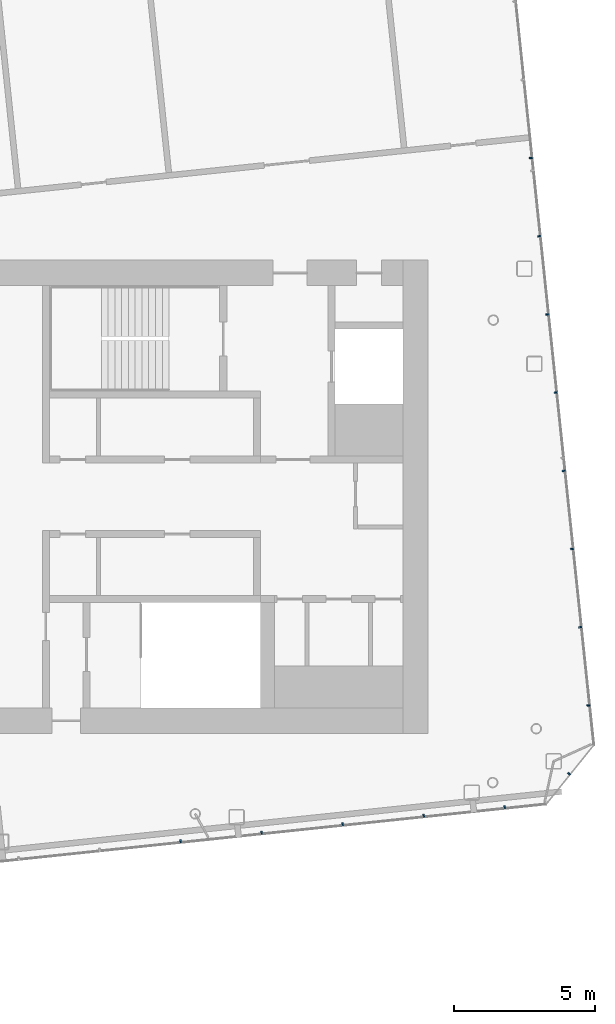
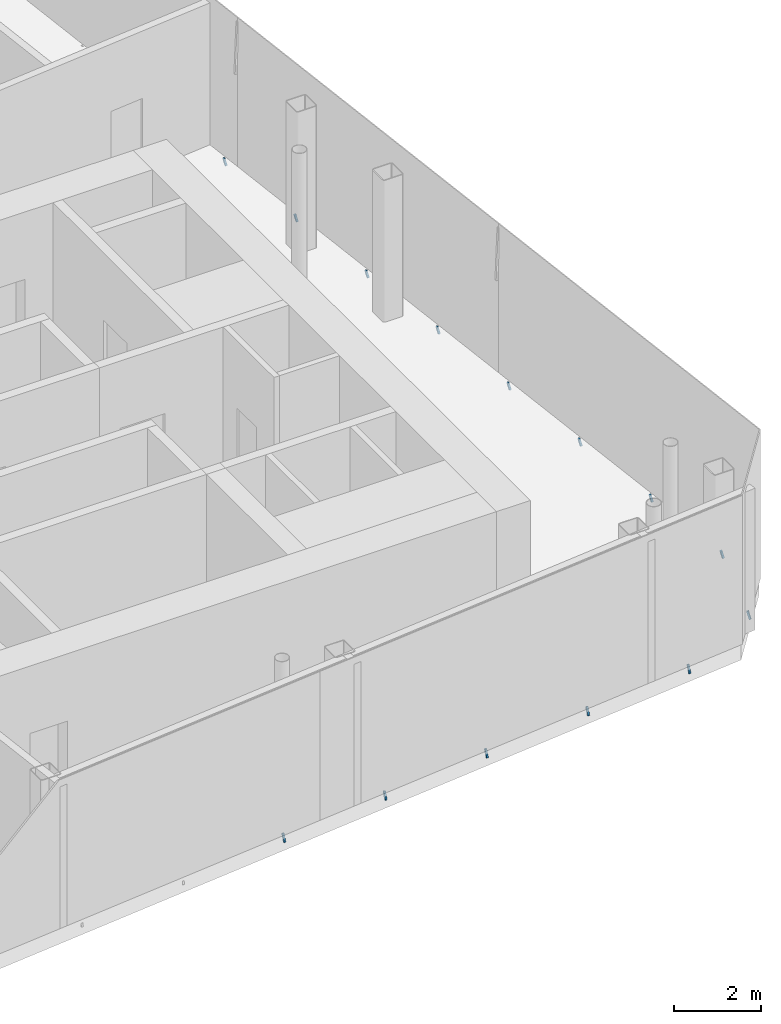
# One storey, part 24 of 28: 14 discrete accessories.
"""IFC4 building model written with IfcOpenShell, lengths in metres."""

from ifc_helpers import new_model, si_unit, direction, frame, origin, origin_2d, place, context, subcontext, project, spatial, rectangle, extrude, material, material_profile, profile_set, type_object, element, save


model = new_model("IFC4")

# Units and contexts
model_context = context("Model", 3, precision=1e-05, world=origin(), true_north=direction((0.0, 1.0)))
body_context = subcontext(model_context, "Body", "Model", "MODEL_VIEW")
ifc_project = project(units=[si_unit("LENGTHUNIT", "METRE"), si_unit("AREAUNIT", "SQUARE_METRE"), si_unit("VOLUMEUNIT", "CUBIC_METRE"), si_unit("PLANEANGLEUNIT", "RADIAN"), si_unit("MASSUNIT", "GRAM", prefix="KILO")], contexts=[model_context])

# Site, building, storey
site_placement = place(None, origin())
site = spatial("IfcSite", under=ifc_project, at=site_placement, CompositionType="ELEMENT")
building_placement = place(site_placement, origin())
building = spatial("IfcBuilding", under=site, at=building_placement, Name="Hakoniwa Tower and Hamabe Station Hall", CompositionType="ELEMENT")
storey_placement = place(building_placement, frame((0.0, 0.0, 280.800048828125)))
storey = spatial("IfcBuildingStorey", under=building, at=storey_placement, Name="L78", CompositionType="ELEMENT", Elevation=280.800048828125)

# Discrete accessories
ifc_material = material(Name="Stainless steel SUS304", Category="steel")
ifc_material_profile = material_profile(ifc_material, rectangle(XDim=0.050048828125, YDim=0.050048828125, at=origin_2d()), Name="CW-4 GLAZING BRACKET 50X50")
ifc_profile_set = profile_set([ifc_material_profile], Name="Stainless steel SUS304")
discrete_accessory_type = type_object("IfcDiscreteAccessoryType", Name="CW-4 GLAZING BRACKET 50X50", PredefinedType="BRACKET", material=ifc_profile_set)
for number, where, z_axis, x_axis, name in (
    (1, (37.21826171875, 12.025390625, 0.0), (0.255747074986, 0.026203593749, -0.966388537448), (-0.101925414299, 0.994792043555, 0.0), "Glazing bracket"),
    (2, (37.510009765625, 9.249267578125, 0.0), (0.255747074986, 0.026203593749, -0.966388537448), (-0.101925414299, 0.994792043555, 0.0), "Glazing bracket"),
    (3, (37.8017578125, 6.47314453125, 0.0), (0.256726269009, 0.026196558062, -0.96612906133), (-0.101513688013, 0.994834142531, 0.0), "Glazing bracket"),
    (4, (38.093505859375, 3.697021484375, 0.0), (0.256726269009, 0.026196558062, -0.96612906133), (-0.101513688013, 0.994834142531, 0.0), "Glazing bracket"),
    (5, (38.38525390625, 0.9208984375, 0.0), (0.256719081131, 0.027243657589, -0.966102011438), (-0.10552987533, 0.994416132921, 0.0), "Glazing bracket"),
    (6, (38.67724609375, -1.855224609375, 0.0), (0.255739910677, 0.027250974089, -0.966361465756), (-0.105957528947, 0.994370656274, 0.0), "Glazing bracket"),
    (7, (38.968994140625, -4.63134765625, 0.0), (0.255739910677, 0.027250974089, -0.966361465756), (-0.105957528947, 0.994370656274, 0.0), "Glazing bracket"),
    (8, (39.2607421875, -7.407470703125, 0.0), (0.255739910677, 0.027250974089, -0.966361465756), (-0.105957528947, 0.994370656274, 0.0), "Glazing bracket"),
    (9, (38.580078125, -9.816162109375, 0.0), (0.200191497512, -0.161410945638, -0.966369427782), (0.627672782255, 0.778477281888, 0.0), "Glazing bracket"),
    (10, (24.81005859375, -12.197021484375, 0.0), (0.026196558062, -0.256726269009, -0.96612906133), (0.994834142531, 0.101513688013, 0.0), "Glazing bracket"),
    (11, (27.686279296875, -11.894775390625, 0.0), (0.027243657589, -0.256719081131, -0.966102011438), (0.994416132921, 0.10552987533, 0.0), "Glazing bracket"),
    (12, (30.562744140625, -11.592529296875, 0.0), (0.027250974089, -0.255739910677, -0.966361465756), (0.994370656274, 0.105957528947, 0.0), "Glazing bracket"),
    (13, (33.439208984375, -11.2900390625, 0.0), (0.026196558062, -0.256726269009, -0.96612906133), (0.994834142531, 0.101513688013, 0.0), "Glazing bracket"),
    (14, (36.3154296875, -10.98779296875, 0.0), (0.027243657589, -0.256719081131, -0.966102011438), (0.994416132921, 0.10552987533, 0.0), "Glazing bracket"),
):
    element("IfcDiscreteAccessory", number, at=place(storey_placement, frame(where, z_axis=z_axis, x_axis=x_axis)), inside=storey, type_object=discrete_accessory_type, Name=name, PredefinedType="BRACKET", context=body_context, shape_type="SweptSolid", body=[
        extrude(rectangle(XDim=0.050048828125, YDim=0.050048828125, at=origin_2d()), origin(), (0.0, 0.0, 1.0), 0.23291015625),
    ])

save(model, "model.ifc")
